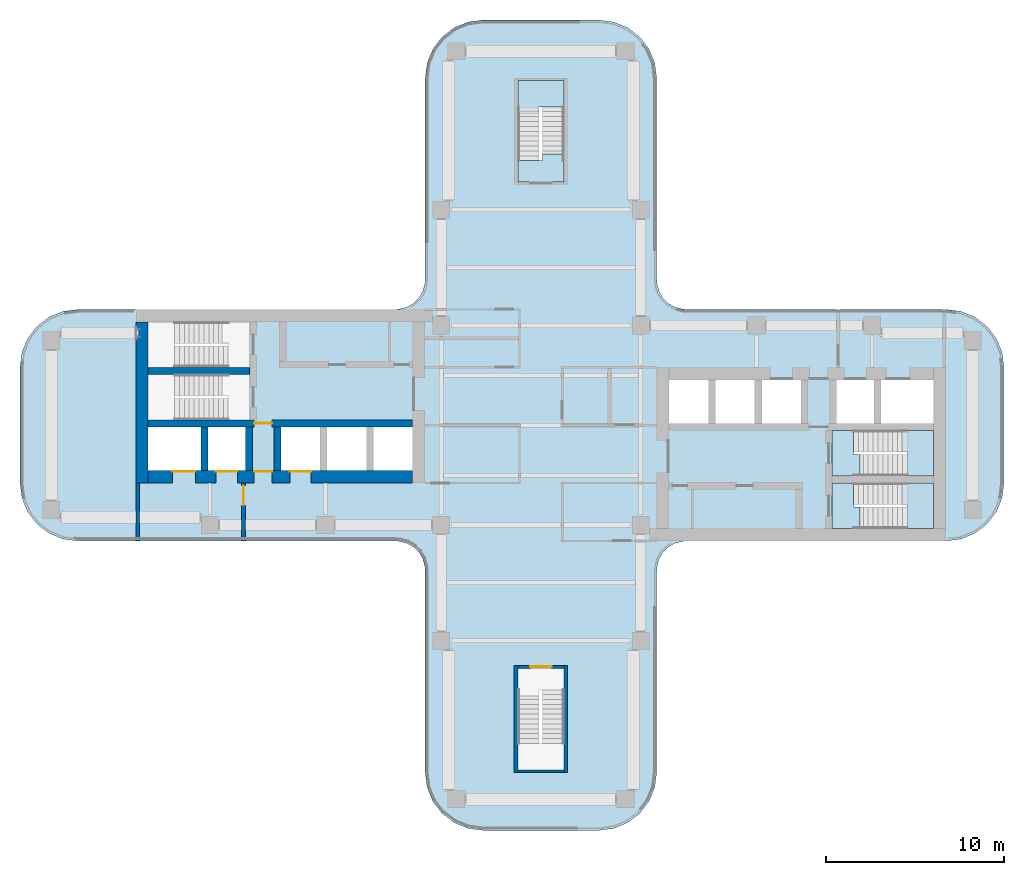
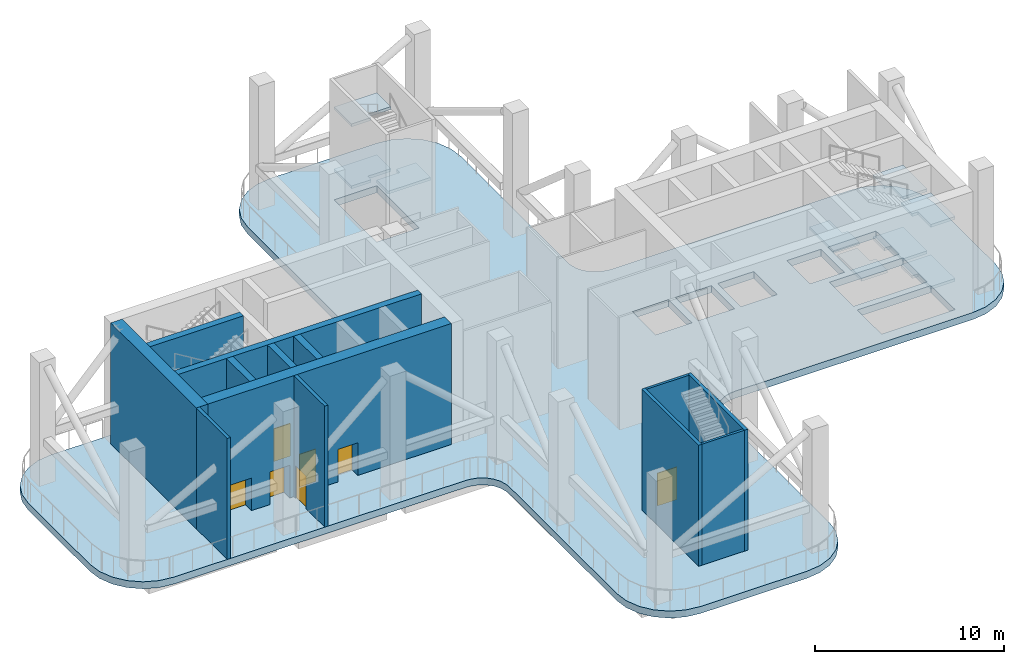
# One storey, part 3 of 9: 13 walls, 10 slabs, 7 doors, 7 openings, 3 elements without a shape of their own.
"""IFC4 building model written with IfcOpenShell, lengths in metres."""

from ifc_helpers import new_model, si_unit, direction, frame, frame_2d, origin, place, context, subcontext, project, spatial, polyline, rectangle, outline, extrude, source, transform, mapped, material, layer, layer_set, type_object, element, fill, aggregate, save


model = new_model("IFC4")

# Units and contexts
model_context = context("Model", 3, precision=1e-05, world=origin(), true_north=direction((0.0, 1.0)))
body_context = subcontext(model_context, "Body", "Model", "MODEL_VIEW")
ifc_project = project(units=[si_unit("LENGTHUNIT", "METRE"), si_unit("AREAUNIT", "SQUARE_METRE"), si_unit("VOLUMEUNIT", "CUBIC_METRE"), si_unit("PLANEANGLEUNIT", "RADIAN"), si_unit("MASSUNIT", "GRAM", prefix="KILO")], contexts=[model_context])

# Site, building, storey
site_placement = place(None, origin())
site = spatial("IfcSite", under=ifc_project, at=site_placement, CompositionType="ELEMENT")
building_placement = place(site_placement, origin())
building = spatial("IfcBuilding", under=site, at=building_placement, Name="Trellis Farm Tower", CompositionType="ELEMENT")
storey_placement = place(building_placement, frame((0.0, 0.0, 271.39990234375)))
storey = spatial("IfcBuildingStorey", under=building, at=storey_placement, Name="L61", CompositionType="ELEMENT", Elevation=271.39990234375)

# Slab
ifc_material_1 = material(Name="Concrete C40/50", Category="concrete")
ifc_layer_1 = layer(ifc_material_1, 0.449951171875)
ifc_layer_set_1 = layer_set([ifc_layer_1], Name="Composite deck floor slab 450")
slab_type_1 = type_object("IfcSlabType", Name="Composite deck floor slab 450", PredefinedType="FLOOR", material=ifc_layer_set_1)
slab_1_placement = place(storey_placement, frame((0.0, 0.0, -0.449951171875)))
element("IfcSlab", 1, at=slab_1_placement, inside=storey, type_object=slab_type_1, Name="Floor slab", PredefinedType="FLOOR", context=body_context, shape_type="SweptSolid", body=[
    extrude(outline(polyline([(-26.84130859375, -6.389404296875), (-27.625, -6.064697265625), (-28.298095703125, -5.548095703125), (-28.814697265625, -4.875), (-29.139404296875, -4.09130859375), (-29.25, -3.25), (-29.25, 3.25), (-29.139404296875, 4.09130859375), (-28.814697265625, 4.875), (-28.298095703125, 5.548095703125), (-27.625, 6.064697265625), (-26.84130859375, 6.389404296875), (-26.0, 6.5), (-8.2314453125, 6.5), (-8.01953125, 6.513916015625), (-7.91552734375, 6.527587890625), (-7.508544921875, 6.63671875), (-7.144287109375, 6.846923828125), (-6.846923828125, 7.144287109375), (-6.63671875, 7.508544921875), (-6.527587890625, 7.91552734375), (-6.513916015625, 8.01953125), (-6.5, 8.2314453125), (-6.5, 19.5), (-6.389404296875, 20.34130859375), (-6.064697265625, 21.125), (-5.548095703125, 21.798095703125), (-4.875, 22.314697265625), (-4.09130859375, 22.639404296875), (-3.25, 22.75), (3.25, 22.75), (4.09130859375, 22.639404296875), (4.875, 22.314697265625), (5.548095703125, 21.798095703125), (6.064697265625, 21.125), (6.389404296875, 20.34130859375), (6.5, 19.5), (6.5, 8.2314453125), (6.513916015625, 8.01953125), (6.527587890625, 7.91552734375), (6.63671875, 7.508544921875), (6.846923828125, 7.144287109375), (7.144287109375, 6.846923828125), (7.508544921875, 6.63671875), (7.91552734375, 6.527587890625), (8.01953125, 6.513916015625), (8.2314453125, 6.5), (22.75, 6.5), (23.59130859375, 6.389404296875), (24.375, 6.064697265625), (25.048095703125, 5.548095703125), (25.564697265625, 4.875), (25.889404296875, 4.09130859375), (26.0, 3.25), (26.0, -3.25), (25.889404296875, -4.09130859375), (25.564697265625, -4.875), (25.048095703125, -5.548095703125), (24.375, -6.064697265625), (23.59130859375, -6.389404296875), (22.75, -6.5), (8.2314453125, -6.5), (8.01953125, -6.513916015625), (7.91552734375, -6.527587890625), (7.508544921875, -6.63671875), (7.144287109375, -6.846923828125), (6.846923828125, -7.144287109375), (6.63671875, -7.508544921875), (6.527587890625, -7.91552734375), (6.513916015625, -8.01953125), (6.5, -8.2314453125), (6.5, -19.5), (6.389404296875, -20.34130859375), (6.064697265625, -21.125), (5.548095703125, -21.798095703125), (4.875, -22.314697265625), (4.09130859375, -22.639404296875), (3.25, -22.75), (-3.25, -22.75), (-4.09130859375, -22.639404296875), (-4.875, -22.314697265625), (-5.548095703125, -21.798095703125), (-6.064697265625, -21.125), (-6.389404296875, -20.34130859375), (-6.5, -19.5), (-6.5, -8.2314453125), (-6.513916015625, -8.01953125), (-6.527587890625, -7.91552734375), (-6.63671875, -7.508544921875), (-6.846923828125, -7.144287109375), (-7.144287109375, -6.846923828125), (-7.508544921875, -6.63671875), (-7.91552734375, -6.527587890625), (-8.01953125, -6.513916015625), (-8.2314453125, -6.5), (-26.0, -6.5), (-26.84130859375, -6.389404296875)]), holes=[polyline([(-22.050048828125, -0.10009765625), (-22.050048828125, -2.550048828125), (-19.10009765625, -2.550048828125), (-19.10009765625, -0.10009765625), (-22.050048828125, -0.10009765625)]), polyline([(-18.699951171875, -0.10009765625), (-18.699951171875, -2.550048828125), (-16.60009765625, -2.550048828125), (-16.60009765625, -0.10009765625), (-18.699951171875, -0.10009765625)]), polyline([(-14.60009765625, -0.10009765625), (-14.60009765625, -2.550048828125), (-12.39990234375, -2.550048828125), (-12.39990234375, -0.10009765625), (-14.60009765625, -0.10009765625)]), polyline([(-12.0, -0.10009765625), (-12.0, -2.550048828125), (-9.800048828125, -2.550048828125), (-9.800048828125, -0.10009765625), (-12.0, -0.10009765625)]), polyline([(-9.39990234375, -0.10009765625), (-9.39990234375, -2.550048828125), (-7.199951171875, -2.550048828125), (-7.199951171875, -0.10009765625), (-9.39990234375, -0.10009765625)]), polyline([(-17.56201171875, 1.64990234375), (-17.56201171875, 2.85009765625), (-22.050048828125, 2.85009765625), (-22.050048828125, 0.300048828125), (-17.56005859375, 0.300048828125), (-17.56005859375, 1.5), (-17.550048828125, 1.5), (-17.550048828125, 1.64990234375), (-17.56201171875, 1.64990234375)]), polyline([(-17.56201171875, 4.60009765625), (-17.56201171875, 5.800048828125), (-22.050048828125, 5.800048828125), (-22.050048828125, 3.25), (-17.56005859375, 3.25), (-17.56005859375, 4.449951171875), (-17.550048828125, 4.449951171875), (-17.550048828125, 4.60009765625), (-17.56201171875, 4.60009765625)]), polyline([(0.10009765625, 14.862060546875), (1.300048828125, 14.862060546875), (1.300048828125, 19.35009765625), (-1.300048828125, 19.35009765625), (-1.300048828125, 14.860107421875), (-0.10009765625, 14.860107421875), (-0.10009765625, 14.85009765625), (0.10009765625, 14.85009765625), (0.10009765625, 14.862060546875)]), polyline([(-0.10009765625, -14.862060546875), (-1.300048828125, -14.862060546875), (-1.300048828125, -19.35009765625), (1.300048828125, -19.35009765625), (1.300048828125, -14.860107421875), (0.10009765625, -14.860107421875), (0.10009765625, -14.85009765625), (-0.10009765625, -14.85009765625), (-0.10009765625, -14.862060546875)]), polyline([(17.56201171875, -4.60009765625), (17.56201171875, -5.800048828125), (22.050048828125, -5.800048828125), (22.050048828125, -3.25), (17.56005859375, -3.25), (17.56005859375, -4.449951171875), (17.550048828125, -4.449951171875), (17.550048828125, -4.60009765625), (17.56201171875, -4.60009765625)]), polyline([(17.56201171875, -1.64990234375), (17.56201171875, -2.85009765625), (22.050048828125, -2.85009765625), (22.050048828125, -0.300048828125), (17.56005859375, -0.300048828125), (17.56005859375, -1.5), (17.550048828125, -1.5), (17.550048828125, -1.64990234375), (17.56201171875, -1.64990234375)]), polyline([(9.39990234375, 0.10009765625), (9.39990234375, 2.550048828125), (7.199951171875, 2.550048828125), (7.199951171875, 0.10009765625), (9.39990234375, 0.10009765625)]), polyline([(12.0, 0.10009765625), (12.0, 2.550048828125), (9.800048828125, 2.550048828125), (9.800048828125, 0.10009765625), (12.0, 0.10009765625)]), polyline([(14.60009765625, 0.10009765625), (14.60009765625, 2.550048828125), (12.39990234375, 2.550048828125), (12.39990234375, 0.10009765625), (14.60009765625, 0.10009765625)]), polyline([(18.699951171875, 0.10009765625), (18.699951171875, 2.550048828125), (16.60009765625, 2.550048828125), (16.60009765625, 0.10009765625), (18.699951171875, 0.10009765625)]), polyline([(22.050048828125, 0.10009765625), (22.050048828125, 2.550048828125), (19.10009765625, 2.550048828125), (19.10009765625, 0.10009765625), (22.050048828125, 0.10009765625)])]), origin(), (0.0, 0.0, 1.0), 0.449951171875),
])

# Stair, slabs
ifc_material_2 = material(Name="Concrete C50/60", Category="concrete")
stair_type = type_object("IfcStairType", Name="CORE EXIT STAIR 48 RISERS 167 MM", PredefinedType="HALF_TURN_STAIR", material=ifc_material_2)
placement_1 = place(storey_placement, origin())
stair_1 = element("IfcStair", 2, at=placement_1, inside=storey, type_object=stair_type, Name="Exit stair N", PredefinedType="HALF_TURN_STAIR")
ifc_layer_2 = layer(ifc_material_2, 0.179931640625)
ifc_layer_set_2 = layer_set([ifc_layer_2], Name="CORE STAIR LANDING 180 CONCRETE C50/60")
slab_type_2 = type_object("IfcSlabType", Name="CORE STAIR LANDING 180 CONCRETE C50/60", PredefinedType="LANDING", material=ifc_layer_set_2)
shared_shape_1 = source(origin(), body_context, "Body", "SweptSolid", [
    extrude(outline(polyline([(-0.10009765625, 17.512451171875), (-1.300048828125, 17.512451171875), (-1.300048828125, 17.875), (-1.300048828125, 19.35009765625), (1.300048828125, 19.35009765625), (1.300048828125, 17.875), (1.300048828125, 17.864990234375), (0.10009765625, 17.864990234375), (0.10009765625, 17.875), (-0.10009765625, 17.875), (-0.10009765625, 17.512451171875)])), origin(), (0.0, 0.0, 1.0), 0.179931640625),
])
placement_2 = place(storey_placement, frame((0.0, 0.0, 1.820068359375)))
slab_2 = element("IfcSlab", 3, at=placement_2, type_object=slab_type_2, Name="STN landing 1", PredefinedType="LANDING", context=body_context, shape_type="MappedRepresentation", body=[
    mapped(shared_shape_1, transform((0.0, 0.0, 0.0))),
])
placement_3 = place(storey_placement, frame((0.0, 0.0, 5.820068359375)))
slab_3 = element("IfcSlab", 4, at=placement_3, type_object=slab_type_2, Name="STN landing 3", PredefinedType="LANDING", context=body_context, shape_type="MappedRepresentation", body=[
    mapped(shared_shape_1, transform((0.0, 0.0, 0.0))),
])
shared_shape_2 = source(origin(), body_context, "Body", "SweptSolid", [
    extrude(outline(polyline([(1.300048828125, 13.64990234375), (-1.300048828125, 13.64990234375), (-1.300048828125, 14.85009765625), (-1.300048828125, 14.860107421875), (-0.10009765625, 14.860107421875), (-0.10009765625, 14.85009765625), (0.10009765625, 14.85009765625), (0.10009765625, 15.21240234375), (1.300048828125, 15.21240234375), (1.300048828125, 14.85009765625), (1.300048828125, 13.64990234375)])), origin(), (0.0, 0.0, 1.0), 0.179931640625),
])
placement_4 = place(storey_placement, frame((0.0, 0.0, 3.820068359375)))
slab_4 = element("IfcSlab", 5, at=placement_4, type_object=slab_type_2, Name="STN landing 2", PredefinedType="LANDING", context=body_context, shape_type="MappedRepresentation", body=[
    mapped(shared_shape_2, transform((0.0, 0.0, 0.0))),
])
aggregate(stair_1, [slab_2, slab_4, slab_3])

stair_2 = element("IfcStair", 6, at=placement_1, inside=storey, type_object=stair_type, Name="Exit stair E1", PredefinedType="HALF_TURN_STAIR")
shared_shape_3 = source(origin(), body_context, "Body", "SweptSolid", [
    extrude(outline(polyline([(20.56494140625, -5.800048828125), (20.56494140625, -4.60009765625), (20.574951171875, -4.60009765625), (20.574951171875, -4.449951171875), (20.21240234375, -4.449951171875), (20.21240234375, -3.25), (20.574951171875, -3.25), (22.050048828125, -3.25), (22.050048828125, -5.800048828125), (20.574951171875, -5.800048828125), (20.56494140625, -5.800048828125)])), origin(), (0.0, 0.0, 1.0), 0.179931640625),
])
slab_5 = element("IfcSlab", 7, at=placement_2, type_object=slab_type_2, Name="STE1 landing 1", PredefinedType="LANDING", context=body_context, shape_type="MappedRepresentation", body=[
    mapped(shared_shape_3, transform((0.0, 0.0, 0.0))),
])
slab_6 = element("IfcSlab", 8, at=placement_3, type_object=slab_type_2, Name="STE1 landing 3", PredefinedType="LANDING", context=body_context, shape_type="MappedRepresentation", body=[
    mapped(shared_shape_3, transform((0.0, 0.0, 0.0))),
])
shared_shape_4 = source(origin(), body_context, "Body", "SweptSolid", [
    extrude(outline(polyline([(17.91259765625, -4.60009765625), (17.91259765625, -5.800048828125), (17.550048828125, -5.800048828125), (16.35009765625, -5.800048828125), (16.35009765625, -3.25), (17.550048828125, -3.25), (17.56005859375, -3.25), (17.56005859375, -4.449951171875), (17.550048828125, -4.449951171875), (17.550048828125, -4.60009765625), (17.91259765625, -4.60009765625)])), origin(), (0.0, 0.0, 1.0), 0.179931640625),
])
slab_7 = element("IfcSlab", 9, at=placement_4, type_object=slab_type_2, Name="STE1 landing 2", PredefinedType="LANDING", context=body_context, shape_type="MappedRepresentation", body=[
    mapped(shared_shape_4, transform((0.0, 0.0, 0.0))),
])
aggregate(stair_2, [slab_5, slab_7, slab_6])

stair_3 = element("IfcStair", 10, at=placement_1, inside=storey, type_object=stair_type, Name="Exit stair E2", PredefinedType="HALF_TURN_STAIR")
shared_shape_5 = source(origin(), body_context, "Body", "SweptSolid", [
    extrude(outline(polyline([(20.56494140625, -2.85009765625), (20.56494140625, -1.64990234375), (20.574951171875, -1.64990234375), (20.574951171875, -1.5), (20.21240234375, -1.5), (20.21240234375, -0.300048828125), (20.574951171875, -0.300048828125), (22.050048828125, -0.300048828125), (22.050048828125, -2.85009765625), (20.574951171875, -2.85009765625), (20.56494140625, -2.85009765625)])), origin(), (0.0, 0.0, 1.0), 0.179931640625),
])
slab_8 = element("IfcSlab", 11, at=placement_2, type_object=slab_type_2, Name="STE2 landing 1", PredefinedType="LANDING", context=body_context, shape_type="MappedRepresentation", body=[
    mapped(shared_shape_5, transform((0.0, 0.0, 0.0))),
])
slab_9 = element("IfcSlab", 12, at=placement_3, type_object=slab_type_2, Name="STE2 landing 3", PredefinedType="LANDING", context=body_context, shape_type="MappedRepresentation", body=[
    mapped(shared_shape_5, transform((0.0, 0.0, 0.0))),
])
shared_shape_6 = source(origin(), body_context, "Body", "SweptSolid", [
    extrude(outline(polyline([(17.91259765625, -1.64990234375), (17.91259765625, -2.85009765625), (17.550048828125, -2.85009765625), (16.35009765625, -2.85009765625), (16.35009765625, -0.300048828125), (17.550048828125, -0.300048828125), (17.56005859375, -0.300048828125), (17.56005859375, -1.5), (17.550048828125, -1.5), (17.550048828125, -1.64990234375), (17.91259765625, -1.64990234375)])), origin(), (0.0, 0.0, 1.0), 0.179931640625),
])
slab_10 = element("IfcSlab", 13, at=placement_4, type_object=slab_type_2, Name="STE2 landing 2", PredefinedType="LANDING", context=body_context, shape_type="MappedRepresentation", body=[
    mapped(shared_shape_6, transform((0.0, 0.0, 0.0))),
])
aggregate(stair_3, [slab_8, slab_10, slab_9])

# Walls
ifc_material_3 = material(Name="Concrete C60/75", Category="concrete")
ifc_layer_3 = layer(ifc_material_3, 0.699951171875)
ifc_layer_set_3 = layer_set([ifc_layer_3], Name="CORE OUTER WALL 700 CONCRETE C60/75")
wall_type_1 = type_object("IfcWallType", Name="CORE OUTER WALL 700 CONCRETE C60/75", PredefinedType="SHEAR", material=ifc_layer_set_3)
shared_shape_7 = source(origin(), body_context, "Body", "SweptSolid", [
    extrude(rectangle(XDim=9.050048828125, YDim=0.699951171875, at=frame_2d((4.52490234375, 0.0))), origin(), (0.0, 0.0, 1.0), 7.800048828125),
])
wall_1_placement = place(storey_placement, frame((-22.39990234375, 5.800048828125, 0.0), z_axis=(0.0, 0.0, 1.0), x_axis=(0.0, -1.0, 0.0)))
element("IfcWall", 14, at=wall_1_placement, inside=storey, type_object=wall_type_1, Name="Core wall", PredefinedType="SHEAR", context=body_context, shape_type="MappedRepresentation", body=[
    mapped(shared_shape_7, transform((0.0, 0.0, 0.0))),
])
ifc_layer_4 = layer(ifc_material_3, 0.39990234375)
ifc_layer_set_4 = layer_set([ifc_layer_4], Name="CORE INNER WALL 400 CONCRETE C60/75")
wall_type_2 = type_object("IfcWallType", Name="CORE INNER WALL 400 CONCRETE C60/75", PredefinedType="SHEAR", material=ifc_layer_set_4)
shared_shape_8 = source(origin(), body_context, "Body", "SweptSolid", [
    extrude(rectangle(XDim=2.449951171875, YDim=0.39990234375, at=frame_2d((1.22509765625, 0.0))), origin(), (0.0, 0.0, 1.0), 7.800048828125),
])
for number, where, z_axis, x_axis, name in (
    (15, (-14.800048828125, -0.10009765625, 0.0), (0.0, 0.0, 1.0), (0.0, -1.0, 0.0), "Core wall"),
    (16, (-16.39990234375, -0.10009765625, 0.0), (0.0, 0.0, 1.0), (0.0, -1.0, 0.0), "Core wall"),
    (17, (-18.89990234375, -0.10009765625, 0.0), (0.0, 0.0, 1.0), (0.0, -1.0, 0.0), "Core wall"),
):
    element("IfcWall", number, at=place(storey_placement, frame(where, z_axis=z_axis, x_axis=x_axis)), inside=storey, type_object=wall_type_2, Name=name, PredefinedType="SHEAR", context=body_context, shape_type="MappedRepresentation", body=[
        mapped(shared_shape_8, transform((0.0, 0.0, 0.0))),
    ])

# Wall, opening, door
ifc_material_4 = material(Name="Masonry blockwork", Category="masonry")
ifc_layer_5 = layer(ifc_material_4, 0.199951171875)
ifc_layer_set_5 = layer_set([ifc_layer_5], Name="FIRE LOBBY PARTITION 200 BLOCKWORK")
wall_type_3 = type_object("IfcWallType", Name="FIRE LOBBY PARTITION 200 BLOCKWORK", PredefinedType="PARTITIONING", material=ifc_layer_set_5)
shared_shape_9 = source(origin(), body_context, "Body", "SweptSolid", [
    extrude(rectangle(XDim=3.25, YDim=0.199951171875, at=frame_2d((1.625, 0.0))), origin(), (0.0, 0.0, 1.0), 7.800048828125),
])
wall_2_placement = place(storey_placement, frame((-16.699951171875, -3.25, 0.0), z_axis=(0.0, 0.0, 1.0), x_axis=(0.0, -1.0, 0.0)))
wall_2 = element("IfcWall", 18, at=wall_2_placement, inside=storey, type_object=wall_type_3, Name="Fire-fighting lobby partition", PredefinedType="PARTITIONING", context=body_context, shape_type="MappedRepresentation", body=[
    mapped(shared_shape_9, transform((0.0, 0.0, 0.0))),
])
shared_shape_10 = source(origin(), body_context, "Body", "SweptSolid", [
    extrude(rectangle(XDim=1.10009765625, YDim=2.10009765625, at=frame_2d((0.550048828125, 1.050048828125))), frame((0.0, 0.110107421875, 0.0), z_axis=(0.0, -1.0, 0.0), x_axis=(1.0, 0.0, 0.0)), (0.0, 0.0, 1.0), 0.22021484375),
])
opening_1_placement = place(wall_2_placement, frame((0.14990234375, 0.0, 0.0)))
opening_1 = element("IfcOpeningElement", 19, at=opening_1_placement, cuts=wall_2, Name="Opening DC93", PredefinedType="OPENING", context=body_context, shape_type="MappedRepresentation", body=[
    mapped(shared_shape_10, transform((0.0, 0.0, 0.0))),
])
ifc_material_5 = material(Name="Steel", Category="steel")
door_type_1 = type_object("IfcDoorType", Name="CORE FIRE DOOR 1100 X 2100", OperationType="NOTDEFINED", PredefinedType="DOOR", material=ifc_material_5)
shared_shape_11 = source(origin(), body_context, "Body", "SweptSolid", [
    extrude(rectangle(XDim=1.10009765625, YDim=2.10009765625, at=frame_2d((0.550048828125, 1.050048828125))), frame((0.0, 0.02490234375, 0.0), z_axis=(0.0, -1.0, 0.0), x_axis=(1.0, 0.0, 0.0)), (0.0, 0.0, 1.0), 0.050048828125),
])
door_1_placement = place(opening_1_placement, origin())
door_1 = element("IfcDoor", 20, at=door_1_placement, inside=storey, type_object=door_type_1, Name="Core door", OperationType="SINGLE_SWING_RIGHT", OverallHeight=2.10009765625, OverallWidth=1.10009765625, PredefinedType="DOOR", context=body_context, shape_type="MappedRepresentation", body=[
    mapped(shared_shape_11, transform((0.0, 0.0, 0.0))),
])
fill(opening_1, door_1)

# Wall
wall_3_placement = place(storey_placement, frame((-22.64990234375, -3.25, 0.0), z_axis=(0.0, 0.0, 1.0), x_axis=(0.0, -1.0, 0.0)))
element("IfcWall", 21, at=wall_3_placement, inside=storey, type_object=wall_type_3, Name="Fire-fighting lobby partition", PredefinedType="PARTITIONING", context=body_context, shape_type="MappedRepresentation", body=[
    mapped(shared_shape_9, transform((0.0, 0.0, 0.0))),
])

# Wall, openings, doors
shared_shape_12 = source(origin(), body_context, "Body", "SweptSolid", [
    extrude(rectangle(XDim=14.85009765625, YDim=0.699951171875, at=frame_2d((7.425048828125, 0.0))), origin(), (0.0, 0.0, 1.0), 7.800048828125),
])
wall_4_placement = place(storey_placement, frame((-7.199951171875, -2.89990234375, 0.0), z_axis=(0.0, 0.0, 1.0), x_axis=(-1.0, 0.0, 0.0)))
wall_4 = element("IfcWall", 22, at=wall_4_placement, inside=storey, type_object=wall_type_1, Name="Core wall", PredefinedType="SHEAR", context=body_context, shape_type="MappedRepresentation", body=[
    mapped(shared_shape_12, transform((0.0, 0.0, 0.0))),
])
shared_shape_13 = source(origin(), body_context, "Body", "SweptSolid", [
    extrude(rectangle(XDim=1.199951171875, YDim=2.10009765625, at=frame_2d((0.60009765625, 1.050048828125))), frame((0.0, 0.360107421875, 0.0), z_axis=(0.0, -1.0, 0.0), x_axis=(1.0, 0.0, 0.0)), (0.0, 0.0, 1.0), 0.72021484375),
])
opening_2_placement = place(wall_4_placement, frame((5.699951171875, 0.0, 0.0)))
opening_2 = element("IfcOpeningElement", 23, at=opening_2_placement, cuts=wall_4, Name="Opening LD14", PredefinedType="OPENING", context=body_context, shape_type="MappedRepresentation", body=[
    mapped(shared_shape_13, transform((0.0, 0.0, 0.0))),
])
shared_shape_14 = source(origin(), body_context, "Body", "SweptSolid", [
    extrude(rectangle(XDim=1.300048828125, YDim=2.10009765625, at=frame_2d((0.64990234375, 1.050048828125))), frame((0.0, 0.360107421875, 0.0), z_axis=(0.0, -1.0, 0.0), x_axis=(1.0, 0.0, 0.0)), (0.0, 0.0, 1.0), 0.72021484375),
])
opening_3_placement = place(wall_4_placement, frame((12.199951171875, 0.0, 0.0)))
opening_3 = element("IfcOpeningElement", 24, at=opening_3_placement, cuts=wall_4, Name="Opening LD15", PredefinedType="OPENING", context=body_context, shape_type="MappedRepresentation", body=[
    mapped(shared_shape_14, transform((0.0, 0.0, 0.0))),
])
opening_4_placement = place(wall_4_placement, frame((9.85009765625, 0.0, 0.0)))
opening_4 = element("IfcOpeningElement", 25, at=opening_4_placement, cuts=wall_4, Name="Opening LD16", PredefinedType="OPENING", context=body_context, shape_type="MappedRepresentation", body=[
    mapped(shared_shape_13, transform((0.0, 0.0, 0.0))),
])
shared_shape_15 = source(origin(), body_context, "Body", "SweptSolid", [
    extrude(rectangle(XDim=1.0, YDim=2.10009765625, at=frame_2d((0.5, 1.050048828125))), frame((0.0, 0.360107421875, 0.0), z_axis=(0.0, -1.0, 0.0), x_axis=(1.0, 0.0, 0.0)), (0.0, 0.0, 1.0), 0.72021484375),
])
opening_5_placement = place(wall_4_placement, frame((7.89990234375, 0.0, 0.0)))
opening_5 = element("IfcOpeningElement", 26, at=opening_5_placement, cuts=wall_4, Name="Opening DC92", PredefinedType="OPENING", context=body_context, shape_type="MappedRepresentation", body=[
    mapped(shared_shape_15, transform((0.0, 0.0, 0.0))),
])
door_type_2 = type_object("IfcDoorType", Name="CORE FIRE DOOR 1000 X 2100", OperationType="NOTDEFINED", PredefinedType="DOOR", material=ifc_material_5)
shared_shape_16 = source(origin(), body_context, "Body", "SweptSolid", [
    extrude(rectangle(XDim=1.0, YDim=2.10009765625, at=frame_2d((0.5, 1.050048828125))), frame((0.0, -0.27490234375, 0.0), z_axis=(0.0, -1.0, 0.0), x_axis=(1.0, 0.0, 0.0)), (0.0, 0.0, 1.0), 0.050048828125),
])
door_2_placement = place(opening_5_placement, origin())
door_2 = element("IfcDoor", 27, at=door_2_placement, inside=storey, type_object=door_type_2, Name="Core door", OperationType="SINGLE_SWING_LEFT", OverallHeight=2.10009765625, OverallWidth=1.0, PredefinedType="DOOR", context=body_context, shape_type="MappedRepresentation", body=[
    mapped(shared_shape_16, transform((0.0, 0.0, 0.0))),
])
fill(opening_5, door_2)
ifc_material_6 = material(Name="Stainless steel", Category="steel")
door_type_3 = type_object("IfcDoorType", Name="LIFT LANDING DOOR 1300 X 2100", OperationType="DOUBLE_DOOR_SLIDING", PredefinedType="DOOR", material=ifc_material_6)
shared_shape_17 = source(origin(), body_context, "Body", "SweptSolid", [
    extrude(rectangle(XDim=1.300048828125, YDim=2.10009765625, at=frame_2d((0.64990234375, 1.050048828125))), frame((0.0, -0.27490234375, 0.0), z_axis=(0.0, -1.0, 0.0), x_axis=(1.0, 0.0, 0.0)), (0.0, 0.0, 1.0), 0.050048828125),
])
door_3_placement = place(opening_3_placement, origin())
door_3 = element("IfcDoor", 28, at=door_3_placement, inside=storey, type_object=door_type_3, Name="Lift landing door", OperationType="DOUBLE_DOOR_SLIDING", OverallHeight=2.10009765625, OverallWidth=1.300048828125, PredefinedType="DOOR", context=body_context, shape_type="MappedRepresentation", body=[
    mapped(shared_shape_17, transform((0.0, 0.0, 0.0))),
])
fill(opening_3, door_3)
door_type_4 = type_object("IfcDoorType", Name="LIFT LANDING DOOR 1200 X 2100", OperationType="DOUBLE_DOOR_SLIDING", PredefinedType="DOOR", material=ifc_material_6)
shared_shape_18 = source(origin(), body_context, "Body", "SweptSolid", [
    extrude(rectangle(XDim=1.199951171875, YDim=2.10009765625, at=frame_2d((0.60009765625, 1.050048828125))), frame((0.0, -0.27490234375, 0.0), z_axis=(0.0, -1.0, 0.0), x_axis=(1.0, 0.0, 0.0)), (0.0, 0.0, 1.0), 0.050048828125),
])
door_4_placement = place(opening_2_placement, origin())
door_4 = element("IfcDoor", 29, at=door_4_placement, inside=storey, type_object=door_type_4, Name="Lift landing door", OperationType="DOUBLE_DOOR_SLIDING", OverallHeight=2.10009765625, OverallWidth=1.199951171875, PredefinedType="DOOR", context=body_context, shape_type="MappedRepresentation", body=[
    mapped(shared_shape_18, transform((0.0, 0.0, 0.0))),
])
fill(opening_2, door_4)
door_5_placement = place(opening_4_placement, origin())
door_5 = element("IfcDoor", 30, at=door_5_placement, inside=storey, type_object=door_type_4, Name="Lift landing door", OperationType="DOUBLE_DOOR_SLIDING", OverallHeight=2.10009765625, OverallWidth=1.199951171875, PredefinedType="DOOR", context=body_context, shape_type="MappedRepresentation", body=[
    mapped(shared_shape_18, transform((0.0, 0.0, 0.0))),
])
fill(opening_4, door_5)

# Wall, opening, door
shared_shape_19 = source(origin(), body_context, "Body", "SweptSolid", [
    extrude(rectangle(XDim=14.85009765625, YDim=0.39990234375, at=frame_2d((7.425048828125, 0.0))), origin(), (0.0, 0.0, 1.0), 7.800048828125),
])
wall_5_placement = place(storey_placement, frame((-7.199951171875, 0.10009765625, 0.0), z_axis=(0.0, 0.0, 1.0), x_axis=(-1.0, 0.0, 0.0)))
wall_5 = element("IfcWall", 31, at=wall_5_placement, inside=storey, type_object=wall_type_2, Name="Core wall", PredefinedType="SHEAR", context=body_context, shape_type="MappedRepresentation", body=[
    mapped(shared_shape_19, transform((0.0, 0.0, 0.0))),
])
shared_shape_20 = source(origin(), body_context, "Body", "SweptSolid", [
    extrude(rectangle(XDim=1.0, YDim=2.10009765625, at=frame_2d((0.5, 1.050048828125))), frame((0.0, 0.2099609375, 0.0), z_axis=(0.0, -1.0, 0.0), x_axis=(1.0, 0.0, 0.0)), (0.0, 0.0, 1.0), 0.419921875),
])
opening_6_placement = place(wall_5_placement, frame((7.89990234375, 0.0, 0.0)))
opening_6 = element("IfcOpeningElement", 32, at=opening_6_placement, cuts=wall_5, Name="Opening DC91", PredefinedType="OPENING", context=body_context, shape_type="MappedRepresentation", body=[
    mapped(shared_shape_20, transform((0.0, 0.0, 0.0))),
])
shared_shape_21 = source(origin(), body_context, "Body", "SweptSolid", [
    extrude(rectangle(XDim=1.0, YDim=2.10009765625, at=frame_2d((0.5, 1.050048828125))), frame((0.0, 0.02490234375, 0.0), z_axis=(0.0, -1.0, 0.0), x_axis=(1.0, 0.0, 0.0)), (0.0, 0.0, 1.0), 0.050048828125),
])
door_6_placement = place(opening_6_placement, origin())
door_6 = element("IfcDoor", 33, at=door_6_placement, inside=storey, type_object=door_type_2, Name="Core door", OperationType="SINGLE_SWING_RIGHT", OverallHeight=2.10009765625, OverallWidth=1.0, PredefinedType="DOOR", context=body_context, shape_type="MappedRepresentation", body=[
    mapped(shared_shape_21, transform((0.0, 0.0, 0.0))),
])
fill(opening_6, door_6)

# Walls
shared_shape_22 = source(origin(), body_context, "Body", "SweptSolid", [
    extrude(rectangle(XDim=5.699951171875, YDim=0.39990234375, at=frame_2d((2.85009765625, 0.0))), origin(), (0.0, 0.0, 1.0), 7.800048828125),
])
wall_6_placement = place(storey_placement, frame((-16.35009765625, 3.050048828125, 0.0), z_axis=(0.0, 0.0, 1.0), x_axis=(-1.0, 0.0, 0.0)))
element("IfcWall", 34, at=wall_6_placement, inside=storey, type_object=wall_type_2, Name="Core wall", PredefinedType="SHEAR", context=body_context, shape_type="MappedRepresentation", body=[
    mapped(shared_shape_22, transform((0.0, 0.0, 0.0))),
])
ifc_layer_6 = layer(ifc_material_3, 0.199951171875)
ifc_layer_set_6 = layer_set([ifc_layer_6], Name="CORE STAIR ENCLOSURE WALL 200 CONCRETE C60/75")
wall_type_4 = type_object("IfcWallType", Name="CORE STAIR ENCLOSURE WALL 200 CONCRETE C60/75", PredefinedType="SHEAR", material=ifc_layer_set_6)
shared_shape_23 = source(origin(), body_context, "Body", "SweptSolid", [
    extrude(rectangle(XDim=6.0, YDim=0.199951171875, at=frame_2d((3.0, 0.0))), origin(), (0.0, 0.0, 1.0), 7.800048828125),
])
for number, where, z_axis, x_axis, name in (
    (35, (1.39990234375, -13.5, 0.0), (0.0, 0.0, 1.0), (0.0, -1.0, 0.0), "Stair enclosure wall"),
    (36, (-1.39990234375, -13.5, 0.0), (0.0, 0.0, 1.0), (0.0, -1.0, 0.0), "Stair enclosure wall"),
):
    element("IfcWall", number, at=place(storey_placement, frame(where, z_axis=z_axis, x_axis=x_axis)), inside=storey, type_object=wall_type_4, Name=name, PredefinedType="SHEAR", context=body_context, shape_type="MappedRepresentation", body=[
        mapped(shared_shape_23, transform((0.0, 0.0, 0.0))),
    ])

# Wall, opening, door
ifc_layer_7 = layer(ifc_material_3, 0.14990234375)
ifc_layer_set_7 = layer_set([ifc_layer_7], Name="CORE STAIR ENCLOSURE WALL 150 CONCRETE C60/75")
wall_type_5 = type_object("IfcWallType", Name="CORE STAIR ENCLOSURE WALL 150 CONCRETE C60/75", PredefinedType="SHEAR", material=ifc_layer_set_7)
shared_shape_24 = source(origin(), body_context, "Body", "SweptSolid", [
    extrude(rectangle(XDim=2.60009765625, YDim=0.14990234375, at=frame_2d((1.300048828125, 0.0))), origin(), (0.0, 0.0, 1.0), 7.800048828125),
])
wall_7_placement = place(storey_placement, frame((1.300048828125, -13.574951171875, 0.0), z_axis=(0.0, 0.0, 1.0), x_axis=(-1.0, 0.0, 0.0)))
wall_7 = element("IfcWall", 37, at=wall_7_placement, inside=storey, type_object=wall_type_5, Name="Stair enclosure wall", PredefinedType="SHEAR", context=body_context, shape_type="MappedRepresentation", body=[
    mapped(shared_shape_24, transform((0.0, 0.0, 0.0))),
])
shared_shape_25 = source(origin(), body_context, "Body", "SweptSolid", [
    extrude(rectangle(XDim=1.199951171875, YDim=2.10009765625, at=frame_2d((0.60009765625, 1.050048828125))), frame((0.0, 0.0849609375, 0.0), z_axis=(0.0, -1.0, 0.0), x_axis=(1.0, 0.0, 0.0)), (0.0, 0.0, 1.0), 0.169921875),
])
opening_7_placement = place(wall_7_placement, frame((0.699951171875, 0.0, 0.0)))
opening_7 = element("IfcOpeningElement", 38, at=opening_7_placement, cuts=wall_7, Name="Opening DC174", PredefinedType="OPENING", context=body_context, shape_type="MappedRepresentation", body=[
    mapped(shared_shape_25, transform((0.0, 0.0, 0.0))),
])
door_type_5 = type_object("IfcDoorType", Name="CORE FIRE DOOR 1200 X 2100", OperationType="NOTDEFINED", PredefinedType="DOOR", material=ifc_material_5)
shared_shape_26 = source(origin(), body_context, "Body", "SweptSolid", [
    extrude(rectangle(XDim=1.199951171875, YDim=2.10009765625, at=frame_2d((0.60009765625, 1.050048828125))), frame((0.0, 0.02490234375, 0.0), z_axis=(0.0, -1.0, 0.0), x_axis=(1.0, 0.0, 0.0)), (0.0, 0.0, 1.0), 0.050048828125),
])
door_7_placement = place(opening_7_placement, origin())
door_7 = element("IfcDoor", 39, at=door_7_placement, inside=storey, type_object=door_type_5, Name="Core door", OperationType="SINGLE_SWING_RIGHT", OverallHeight=2.10009765625, OverallWidth=1.199951171875, PredefinedType="DOOR", context=body_context, shape_type="MappedRepresentation", body=[
    mapped(shared_shape_26, transform((0.0, 0.0, 0.0))),
])
fill(opening_7, door_7)

# Wall
wall_8_placement = place(storey_placement, frame((1.300048828125, -19.425048828125, 0.0), z_axis=(0.0, 0.0, 1.0), x_axis=(-1.0, 0.0, 0.0)))
element("IfcWall", 40, at=wall_8_placement, inside=storey, type_object=wall_type_5, Name="Stair enclosure wall", PredefinedType="SHEAR", context=body_context, shape_type="MappedRepresentation", body=[
    mapped(shared_shape_24, transform((0.0, 0.0, 0.0))),
])

save(model, "model.ifc")
